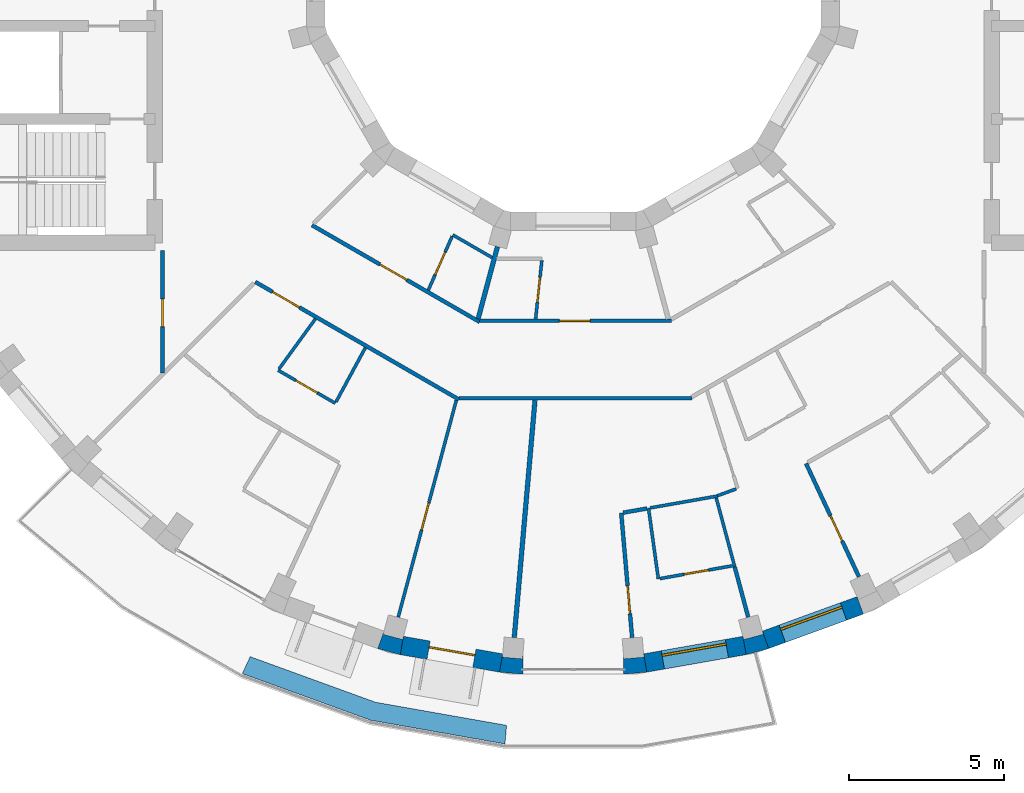
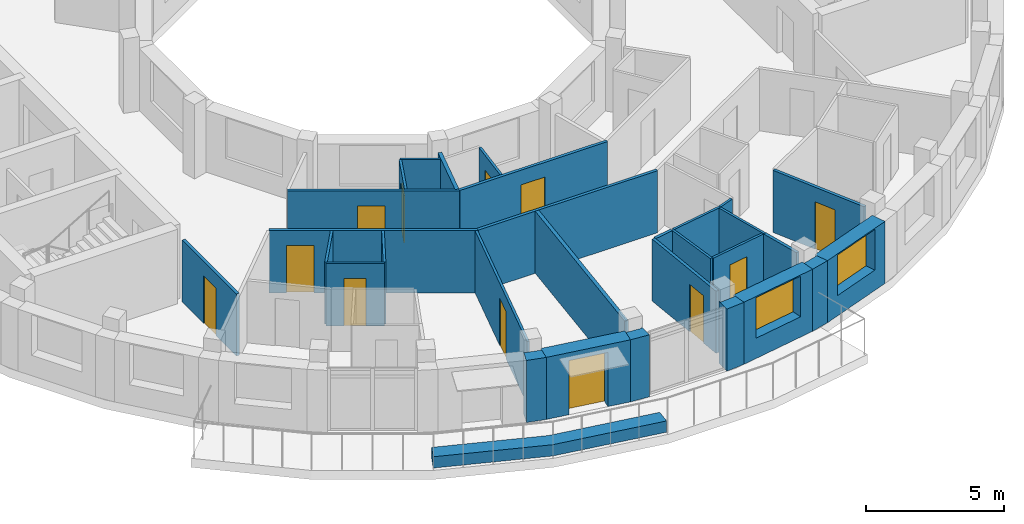
# One storey, part 4 of 12: 31 walls, 12 doors, 2 windows, 14 openings.
"""IFC4 building model written with IfcOpenShell, lengths in metres."""

from ifc_helpers import new_model, si_unit, direction, frame, frame_2d, origin, place, context, subcontext, project, spatial, polyline, rectangle, outline, extrude, material, layer, layer_set, type_object, element, fill, save


model = new_model("IFC4")

# Units and contexts
model_context = context("Model", 3, precision=1e-05, world=origin(), true_north=direction((0.0, 1.0)))
body_context = subcontext(model_context, "Body", "Model", "MODEL_VIEW")
ifc_project = project(units=[si_unit("LENGTHUNIT", "METRE"), si_unit("AREAUNIT", "SQUARE_METRE"), si_unit("VOLUMEUNIT", "CUBIC_METRE"), si_unit("PLANEANGLEUNIT", "RADIAN"), si_unit("MASSUNIT", "GRAM", prefix="KILO")], contexts=[model_context])

# Site, building, storey
site_placement = place(None, origin())
site = spatial("IfcSite", under=ifc_project, at=site_placement, CompositionType="ELEMENT")
building_placement = place(site_placement, origin())
building = spatial("IfcBuilding", under=site, at=building_placement, Name="Saqina Gate Tower", CompositionType="ELEMENT")
storey_placement = place(building_placement, frame((0.0, 0.0, 275.89990234375)))
storey = spatial("IfcBuildingStorey", under=building, at=storey_placement, Name="L79", CompositionType="ELEMENT", Elevation=275.89990234375)

# Walls
ifc_material_1 = material(Name="Brick masonry (buff)", Category="masonry")
wall_type_1 = type_object("IfcWallType", Name="BRICK PIER COPING BUFF", PredefinedType="SOLIDWALL", material=ifc_material_1)
wall_1_placement = place(storey_placement, origin())
element("IfcWall", 1, at=wall_1_placement, inside=storey, type_object=wall_type_1, Name="Pier cap L79 column 26", PredefinedType="SOLIDWALL", context=body_context, shape_type="SweptSolid", body=[
    extrude(outline(polyline([(-5.579833984375, -22.281982421875), (-5.4755859375, -21.691162109375), (-5.5029296875, -21.793212890625), (-6.130859375, -21.625), (-6.103515625, -21.52294921875), (-6.30859375, -22.0869140625), (-5.579833984375, -22.281982421875)])), origin(), (0.0, 0.0, 1.0), 2.75),
])
wall_2_placement = place(storey_placement, origin())
element("IfcWall", 2, at=wall_2_placement, inside=storey, type_object=wall_type_1, Name="Pier cap L79 column 27", PredefinedType="SOLIDWALL", context=body_context, shape_type="SweptSolid", body=[
    extrude(outline(polyline([(-2.377685546875, -22.8466796875), (-1.625732421875, -22.91259765625), (-1.625732421875, -22.3125), (-1.635009765625, -22.417724609375), (-2.28271484375, -22.361083984375), (-2.2734375, -22.255859375), (-2.377685546875, -22.8466796875)])), origin(), (0.0, 0.0, 1.0), 2.75),
])
wall_3_placement = place(storey_placement, origin())
element("IfcWall", 3, at=wall_3_placement, inside=storey, type_object=wall_type_1, Name="Pier cap L79 column 28", PredefinedType="SOLIDWALL", context=body_context, shape_type="SweptSolid", body=[
    extrude(outline(polyline([(1.625732421875, -22.91259765625), (2.377685546875, -22.8466796875), (2.2734375, -22.255859375), (2.28271484375, -22.361083984375), (1.635009765625, -22.417724609375), (1.625732421875, -22.3125), (1.625732421875, -22.91259765625)])), origin(), (0.0, 0.0, 1.0), 2.75),
])
wall_4_placement = place(storey_placement, origin())
element("IfcWall", 4, at=wall_4_placement, inside=storey, type_object=wall_type_1, Name="Pier cap L79 column 29", PredefinedType="SOLIDWALL", context=body_context, shape_type="SweptSolid", body=[
    extrude(outline(polyline([(6.30859375, -22.0869140625), (6.103515625, -21.52294921875), (6.130859375, -21.625), (5.5029296875, -21.793212890625), (5.4755859375, -21.691162109375), (5.579833984375, -22.281982421875), (6.30859375, -22.0869140625)])), origin(), (0.0, 0.0, 1.0), 2.75),
])

# Wall, opening, door
ifc_material_2 = material(Name="Brick masonry (buff)", Category="masonry")
ifc_layer_1 = layer(ifc_material_2, 0.60009765625)
ifc_layer_set_1 = layer_set([ifc_layer_1], Name="FW-BRICK-BUFF")
wall_type_2 = type_object("IfcWallType", Name="FW-BRICK-BUFF", PredefinedType="SOLIDWALL", material=ifc_layer_set_1)
wall_5_placement = place(storey_placement, frame((-5.52783203125, -21.986572265625, 0.0), z_axis=(0.0, 0.0, 1.0), x_axis=(0.984806225186, -0.173656842178, 0.0)))
wall_5 = element("IfcWall", 5, at=wall_5_placement, inside=storey, type_object=wall_type_2, Name="Facade wall L79 facet 26", PredefinedType="SOLIDWALL", context=body_context, shape_type="SweptSolid", body=[
    extrude(rectangle(XDim=3.251708984375, YDim=0.60009765625, at=frame_2d((1.6259765625, 0.0))), origin(), (0.0, 0.0, 1.0), 2.75),
])
opening_1_placement = place(wall_5_placement, frame((0.875732421875, 0.0, 0.0)))
opening_1 = element("IfcOpeningElement", 6, at=opening_1_placement, cuts=wall_5, Name="Opening G23-D81", PredefinedType="OPENING", context=body_context, shape_type="SweptSolid", body=[
    extrude(rectangle(XDim=1.5, YDim=2.39990234375, at=frame_2d((0.75, 1.199951171875))), frame((0.0, 0.31201171875, 0.0), z_axis=(0.0, -1.0, 0.0), x_axis=(1.0, 0.0, 0.0)), (0.0, 0.0, 1.0), 0.6240234375),
])
ifc_material_3 = material(Name="Aluminium glazing", Category="aluminium")
door_type_1 = type_object("IfcDoorType", Name="GD-D", OperationType="DOUBLE_DOOR_SINGLE_SWING", PredefinedType="DOOR", material=ifc_material_3)
door_1_placement = place(opening_1_placement, frame((1.5, 0.0, 0.0), z_axis=(0.0, 0.0, 1.0), x_axis=(-1.0, 0.0, 0.0)))
door_1 = element("IfcDoor", 7, at=door_1_placement, inside=storey, type_object=door_type_1, Name="Terrace door L79 facet 26", OperationType="DOUBLE_DOOR_SINGLE_SWING", OverallHeight=2.39990234375, OverallWidth=1.5, PredefinedType="DOOR", context=body_context, shape_type="SweptSolid", body=[
    extrude(rectangle(XDim=1.5, YDim=2.39990234375, at=frame_2d((0.75, 1.199951171875))), frame((0.0, -0.0751953125, 0.0), z_axis=(0.0, -1.0, 0.0), x_axis=(1.0, 0.0, 0.0)), (0.0, 0.0, 1.0), 0.050048828125),
])
fill(opening_1, door_1)

# Wall, opening, window
wall_6_placement = place(storey_placement, frame((2.325439453125, -22.55126953125, 0.0), z_axis=(0.0, 0.0, 1.0), x_axis=(0.984806225186, 0.173656842178, 0.0)))
wall_6 = element("IfcWall", 8, at=wall_6_placement, inside=storey, type_object=wall_type_2, Name="Facade wall L79 facet 28", PredefinedType="SOLIDWALL", context=body_context, shape_type="SweptSolid", body=[
    extrude(rectangle(XDim=3.251708984375, YDim=0.60009765625, at=frame_2d((1.6259765625, 0.0))), origin(), (0.0, 0.0, 1.0), 2.75),
])
opening_2_placement = place(wall_6_placement, frame((0.57568359375, 0.0, 0.89990234375)))
opening_2 = element("IfcOpeningElement", 9, at=opening_2_placement, cuts=wall_6, Name="Opening G23-W17", PredefinedType="OPENING", context=body_context, shape_type="SweptSolid", body=[
    extrude(rectangle(XDim=2.10009765625, YDim=1.800048828125, at=frame_2d((1.050048828125, 0.89990234375))), frame((0.0, 0.31201171875, 0.0), z_axis=(0.0, -1.0, 0.0), x_axis=(1.0, 0.0, 0.0)), (0.0, 0.0, 1.0), 0.6240234375),
])
ifc_material_4 = material(Name="Aluminium glazing", Category="aluminium")
window_type = type_object("IfcWindowType", Name="WN-D", PartitioningType="SINGLE_PANEL", PredefinedType="WINDOW", material=ifc_material_4)
window_1_placement = place(opening_2_placement, origin())
window_1 = element("IfcWindow", 10, at=window_1_placement, inside=storey, type_object=window_type, Name="Window L79 facet 28", OverallHeight=1.800048828125, OverallWidth=2.10009765625, PartitioningType="SINGLE_PANEL", PredefinedType="WINDOW", context=body_context, shape_type="SweptSolid", body=[
    extrude(rectangle(XDim=2.10009765625, YDim=1.800048828125, at=frame_2d((1.050048828125, 0.89990234375))), frame((0.0, 0.179931640625, 0.0), z_axis=(0.0, -1.0, 0.0), x_axis=(1.0, 0.0, 0.0)), (0.0, 0.0, 1.0), 0.06005859375),
])
fill(opening_2, window_1)

wall_7_placement = place(storey_placement, frame((6.2060546875, -21.804931640625, 0.0), z_axis=(0.0, 0.0, 1.0), x_axis=(0.939679383794, 0.342056509473, 0.0)))
wall_7 = element("IfcWall", 11, at=wall_7_placement, inside=storey, type_object=wall_type_2, Name="Facade wall L79 facet 29", PredefinedType="SOLIDWALL", context=body_context, shape_type="SweptSolid", body=[
    extrude(rectangle(XDim=3.251708984375, YDim=0.60009765625, at=frame_2d((1.6259765625, 0.0))), origin(), (0.0, 0.0, 1.0), 2.75),
])
opening_3_placement = place(wall_7_placement, frame((0.57568359375, 0.0, 0.89990234375)))
opening_3 = element("IfcOpeningElement", 12, at=opening_3_placement, cuts=wall_7, Name="Opening G23-W18", PredefinedType="OPENING", context=body_context, shape_type="SweptSolid", body=[
    extrude(rectangle(XDim=2.10009765625, YDim=1.800048828125, at=frame_2d((1.050048828125, 0.89990234375))), frame((0.0, 0.31201171875, 0.0), z_axis=(0.0, -1.0, 0.0), x_axis=(1.0, 0.0, 0.0)), (0.0, 0.0, 1.0), 0.6240234375),
])
window_2_placement = place(opening_3_placement, origin())
window_2 = element("IfcWindow", 13, at=window_2_placement, inside=storey, type_object=window_type, Name="Window L79 facet 29", OverallHeight=1.800048828125, OverallWidth=2.10009765625, PartitioningType="SINGLE_PANEL", PredefinedType="WINDOW", context=body_context, shape_type="SweptSolid", body=[
    extrude(rectangle(XDim=2.10009765625, YDim=1.800048828125, at=frame_2d((1.050048828125, 0.89990234375))), frame((0.0, 0.179931640625, 0.0), z_axis=(0.0, -1.0, 0.0), x_axis=(1.0, 0.0, 0.0)), (0.0, 0.0, 1.0), 0.06005859375),
])
fill(opening_3, window_2)

# Walls
ifc_material_5 = material(Name="Gypsum board on steel studs, 100 mm", Category="steel")
ifc_layer_2 = layer(ifc_material_5, 0.10009765625)
ifc_layer_set_2 = layer_set([ifc_layer_2], Name="PARTITION 100")
wall_type_3 = type_object("IfcWallType", Name="PARTITION 100", PredefinedType="PARTITIONING", material=ifc_layer_set_2)
wall_8_placement = place(storey_placement, frame((2.430908203125, -17.556884765625, 0.0), z_axis=(0.0, 0.0, 1.0), x_axis=(0.137351585164, -0.990522358179, 0.0)))
element("IfcWall", 14, at=wall_8_placement, inside=storey, type_object=wall_type_3, Name="PARTITION PW3-03", PredefinedType="PARTITIONING", context=body_context, shape_type="SweptSolid", body=[
    extrude(rectangle(XDim=2.3017578125, YDim=0.10009765625, at=frame_2d((1.15087890625, 0.0))), origin(), (0.0, 0.0, 1.0), 2.75),
])
wall_9_placement = place(storey_placement, frame((4.614501953125, -17.222412109375, 0.0), z_axis=(0.0, 0.0, 1.0), x_axis=(0.259222412409, -0.965817654066, 0.0)))
element("IfcWall", 15, at=wall_9_placement, inside=storey, type_object=wall_type_3, Name="PARTITION PW3-06", PredefinedType="PARTITIONING", context=body_context, shape_type="SweptSolid", body=[
    extrude(rectangle(XDim=2.308349609375, YDim=0.10009765625, at=frame_2d((1.154296875, 0.0))), origin(), (0.0, 0.0, 1.0), 2.75),
])

# Wall, opening, door
wall_10_placement = place(storey_placement, frame((-9.52099609375, -13.10498046875, 0.0), z_axis=(0.0, 0.0, 1.0), x_axis=(0.865878308353, -0.500254690257, 0.0)))
wall_10 = element("IfcWall", 16, at=wall_10_placement, inside=storey, type_object=wall_type_3, Name="PARTITION PW3-20", PredefinedType="PARTITIONING", context=body_context, shape_type="SweptSolid", body=[
    extrude(rectangle(XDim=2.130859375, YDim=0.10009765625, at=frame_2d((1.0654296875, 0.0))), origin(), (0.0, 0.0, 1.0), 2.75),
])
opening_4_placement = place(wall_10_placement, frame((0.665283203125, 0.0, 0.0)))
opening_4 = element("IfcOpeningElement", 17, at=opening_4_placement, cuts=wall_10, Name="Opening G23-D24", PredefinedType="OPENING", context=body_context, shape_type="SweptSolid", body=[
    extrude(rectangle(XDim=0.800048828125, YDim=2.10009765625, at=frame_2d((0.39990234375, 1.050048828125))), frame((0.0, 0.06201171875, 0.0), z_axis=(0.0, -1.0, 0.0), x_axis=(1.0, 0.0, 0.0)), (0.0, 0.0, 1.0), 0.1240234375),
])
ifc_material_6 = material(Name="Timber door leaf, 800 mm", Category="wood")
door_type_2 = type_object("IfcDoorType", Name="DOOR 800 TIMBER", OperationType="SINGLE_SWING_LEFT", PredefinedType="DOOR", material=ifc_material_6)
door_2_placement = place(opening_4_placement, frame((0.800048828125, 0.0, 0.0), z_axis=(0.0, 0.0, 1.0), x_axis=(-1.0, 0.0, 0.0)))
door_2 = element("IfcDoor", 18, at=door_2_placement, inside=storey, type_object=door_type_2, Name="DOOR G23-D24", OperationType="SINGLE_SWING_RIGHT", OverallHeight=2.10009765625, OverallWidth=0.800048828125, PredefinedType="DOOR", context=body_context, shape_type="SweptSolid", body=[
    extrude(rectangle(XDim=0.800048828125, YDim=2.10009765625, at=frame_2d((0.39990234375, 1.050048828125))), frame((0.0, 0.02490234375, 0.0), z_axis=(0.0, -1.0, 0.0), x_axis=(1.0, 0.0, 0.0)), (0.0, 0.0, 1.0), 0.050048828125),
])
fill(opening_4, door_2)

# Wall
wall_11_placement = place(storey_placement, frame((-3.884033203125, -8.739013671875, 0.0), z_axis=(0.0, 0.0, 1.0), x_axis=(0.866146805758, -0.499789666634, 0.0)))
element("IfcWall", 19, at=wall_11_placement, inside=storey, type_object=wall_type_3, Name="PARTITION PW3-21", PredefinedType="PARTITIONING", context=body_context, shape_type="SweptSolid", body=[
    extrude(rectangle(XDim=1.467529296875, YDim=0.10009765625, at=frame_2d((0.73388671875, 0.0))), origin(), (0.0, 0.0, 1.0), 2.75),
])

# Wall, opening, door
wall_12_placement = place(storey_placement, frame((2.796142578125, -19.828369140625, 0.0), z_axis=(0.0, 0.0, 1.0), x_axis=(0.984754600233, 0.173949352742, 0.0)))
wall_12 = element("IfcWall", 20, at=wall_12_placement, inside=storey, type_object=wall_type_3, Name="PARTITION PW3-29", PredefinedType="PARTITIONING", context=body_context, shape_type="SweptSolid", body=[
    extrude(rectangle(XDim=2.37744140625, YDim=0.10009765625, at=frame_2d((1.188720703125, 0.0))), origin(), (0.0, 0.0, 1.0), 2.75),
])
opening_5_placement = place(wall_12_placement, frame((0.794921875, 0.0, 0.0)))
opening_5 = element("IfcOpeningElement", 21, at=opening_5_placement, cuts=wall_12, Name="Opening G23-D32", PredefinedType="OPENING", context=body_context, shape_type="SweptSolid", body=[
    extrude(rectangle(XDim=0.800048828125, YDim=2.10009765625, at=frame_2d((0.39990234375, 1.050048828125))), frame((0.0, 0.06201171875, 0.0), z_axis=(0.0, -1.0, 0.0), x_axis=(1.0, 0.0, 0.0)), (0.0, 0.0, 1.0), 0.1240234375),
])
door_3_placement = place(opening_5_placement, frame((0.800048828125, 0.0, 0.0), z_axis=(0.0, 0.0, 1.0), x_axis=(-1.0, 0.0, 0.0)))
door_3 = element("IfcDoor", 22, at=door_3_placement, inside=storey, type_object=door_type_2, Name="DOOR G23-D32", OperationType="SINGLE_SWING_LEFT", OverallHeight=2.10009765625, OverallWidth=0.800048828125, PredefinedType="DOOR", context=body_context, shape_type="SweptSolid", body=[
    extrude(rectangle(XDim=0.800048828125, YDim=2.10009765625, at=frame_2d((0.39990234375, 1.050048828125))), frame((0.0, 0.02490234375, 0.0), z_axis=(0.0, -1.0, 0.0), x_axis=(1.0, 0.0, 0.0)), (0.0, 0.0, 1.0), 0.050048828125),
])
fill(opening_5, door_3)

# Walls
wall_13_placement = place(storey_placement, frame((2.480224609375, -17.54833984375, 0.0), z_axis=(0.0, 0.0, 1.0), x_axis=(0.984791356236, 0.173741142745, 0.0)))
element("IfcWall", 23, at=wall_13_placement, inside=storey, type_object=wall_type_3, Name="PARTITION PW3-30", PredefinedType="PARTITIONING", context=body_context, shape_type="SweptSolid", body=[
    extrude(rectangle(XDim=2.2060546875, YDim=0.10009765625, at=frame_2d((1.10302734375, 0.0))), origin(), (0.0, 0.0, 1.0), 2.75),
])
wall_14_placement = place(storey_placement, frame((4.64990234375, -17.15625, 0.0), z_axis=(0.0, 0.0, 1.0), x_axis=(0.939771391362, 0.341803645353, 0.0)))
element("IfcWall", 24, at=wall_14_placement, inside=storey, type_object=wall_type_3, Name="PARTITION PW3-33", PredefinedType="PARTITIONING", context=body_context, shape_type="SweptSolid", body=[
    extrude(rectangle(XDim=0.647216796875, YDim=0.10009765625, at=frame_2d((0.32373046875, 0.0))), origin(), (0.0, 0.0, 1.0), 2.75),
])
wall_15_placement = place(storey_placement, frame((-9.49169921875, -13.064453125, 0.0), z_axis=(0.0, 0.0, 1.0), x_axis=(0.587873893167, 0.80895258559, 0.0)))
element("IfcWall", 25, at=wall_15_placement, inside=storey, type_object=wall_type_3, Name="PARTITION PW3-42", PredefinedType="PARTITIONING", context=body_context, shape_type="SweptSolid", body=[
    extrude(rectangle(XDim=1.998779296875, YDim=0.10009765625, at=frame_2d((0.99951171875, 0.0))), origin(), (0.0, 0.0, 1.0), 2.75),
])
wall_16_placement = place(storey_placement, frame((-7.652099609375, -14.126953125, 0.0), z_axis=(0.0, 0.0, 1.0), x_axis=(0.476243596433, 0.879313389444, 0.0)))
element("IfcWall", 26, at=wall_16_placement, inside=storey, type_object=wall_type_3, Name="PARTITION PW3-45", PredefinedType="PARTITIONING", context=body_context, shape_type="SweptSolid", body=[
    extrude(rectangle(XDim=1.988525390625, YDim=0.10009765625, at=frame_2d((0.994140625, 0.0))), origin(), (0.0, 0.0, 1.0), 2.75),
])

# Wall, opening, door
wall_17_placement = place(storey_placement, frame((-4.674560546875, -10.519775390625, 0.0), z_axis=(0.0, 0.0, 1.0), x_axis=(0.40574466239, 0.913986470875, 0.0)))
wall_17 = element("IfcWall", 27, at=wall_17_placement, inside=storey, type_object=wall_type_3, Name="PARTITION PW3-47", PredefinedType="PARTITIONING", context=body_context, shape_type="SweptSolid", body=[
    extrude(rectangle(XDim=1.8984375, YDim=0.10009765625, at=frame_2d((0.94921875, 0.0))), origin(), (0.0, 0.0, 1.0), 2.75),
])
opening_6_placement = place(wall_17_placement, frame((0.54296875, 0.0, 0.0)))
opening_6 = element("IfcOpeningElement", 28, at=opening_6_placement, cuts=wall_17, Name="Opening G23-D27", PredefinedType="OPENING", context=body_context, shape_type="SweptSolid", body=[
    extrude(rectangle(XDim=0.800048828125, YDim=2.10009765625, at=frame_2d((0.39990234375, 1.050048828125))), frame((0.0, 0.06201171875, 0.0), z_axis=(0.0, -1.0, 0.0), x_axis=(1.0, 0.0, 0.0)), (0.0, 0.0, 1.0), 0.1240234375),
])
door_4_placement = place(opening_6_placement, origin())
door_4 = element("IfcDoor", 29, at=door_4_placement, inside=storey, type_object=door_type_2, Name="DOOR G23-D27", OperationType="SINGLE_SWING_LEFT", OverallHeight=2.10009765625, OverallWidth=0.800048828125, PredefinedType="DOOR", context=body_context, shape_type="SweptSolid", body=[
    extrude(rectangle(XDim=0.800048828125, YDim=2.10009765625, at=frame_2d((0.39990234375, 1.050048828125))), frame((0.0, 0.02490234375, 0.0), z_axis=(0.0, -1.0, 0.0), x_axis=(1.0, 0.0, 0.0)), (0.0, 0.0, 1.0), 0.050048828125),
])
fill(opening_6, door_4)

wall_18_placement = place(storey_placement, frame((-5.644287109375, -21.072265625, 0.0), z_axis=(0.0, 0.0, 1.0), x_axis=(0.258605886827, 0.96598291667, 0.0)))
wall_18 = element("IfcWall", 30, at=wall_18_placement, inside=storey, type_object=wall_type_3, Name="PARTITION PW3-48", PredefinedType="PARTITIONING", context=body_context, shape_type="SweptSolid", body=[
    extrude(rectangle(XDim=7.24853515625, YDim=0.10009765625, at=frame_2d((3.624267578125, 0.0))), origin(), (0.0, 0.0, 1.0), 2.75),
])
opening_7_placement = place(wall_18_placement, frame((2.913818359375, 0.0, 0.0)))
opening_7 = element("IfcOpeningElement", 31, at=opening_7_placement, cuts=wall_18, Name="Opening G23-D28", PredefinedType="OPENING", context=body_context, shape_type="SweptSolid", body=[
    extrude(rectangle(XDim=0.89990234375, YDim=2.10009765625, at=frame_2d((0.449951171875, 1.050048828125))), frame((0.0, 0.06201171875, 0.0), z_axis=(0.0, -1.0, 0.0), x_axis=(1.0, 0.0, 0.0)), (0.0, 0.0, 1.0), 0.1240234375),
])
ifc_material_7 = material(Name="Timber door leaf, 900 mm", Category="wood")
door_type_3 = type_object("IfcDoorType", Name="DOOR 900 TIMBER", OperationType="SINGLE_SWING_LEFT", PredefinedType="DOOR", material=ifc_material_7)
door_5_placement = place(opening_7_placement, origin())
door_5 = element("IfcDoor", 32, at=door_5_placement, inside=storey, type_object=door_type_3, Name="DOOR G23-D28", OperationType="SINGLE_SWING_LEFT", OverallHeight=2.10009765625, OverallWidth=0.89990234375, PredefinedType="DOOR", context=body_context, shape_type="SweptSolid", body=[
    extrude(rectangle(XDim=0.89990234375, YDim=2.10009765625, at=frame_2d((0.449951171875, 1.050048828125))), frame((0.0, 0.02490234375, 0.0), z_axis=(0.0, -1.0, 0.0), x_axis=(1.0, 0.0, 0.0)), (0.0, 0.0, 1.0), 0.050048828125),
])
fill(opening_7, door_5)

wall_19_placement = place(storey_placement, frame((-1.21142578125, -11.44775390625, 0.0), z_axis=(0.0, 0.0, 1.0), x_axis=(0.105447867905, 0.99442483233, 0.0)))
wall_19 = element("IfcWall", 33, at=wall_19_placement, inside=storey, type_object=wall_type_3, Name="PARTITION PW3-51", PredefinedType="PARTITIONING", context=body_context, shape_type="SweptSolid", body=[
    extrude(rectangle(XDim=1.8984375, YDim=0.10009765625, at=frame_2d((0.94921875, 0.0))), origin(), (0.0, 0.0, 1.0), 2.75),
])
opening_8_placement = place(wall_19_placement, frame((0.543212890625, 0.0, 0.0)))
opening_8 = element("IfcOpeningElement", 34, at=opening_8_placement, cuts=wall_19, Name="Opening G23-D29", PredefinedType="OPENING", context=body_context, shape_type="SweptSolid", body=[
    extrude(rectangle(XDim=0.800048828125, YDim=2.10009765625, at=frame_2d((0.39990234375, 1.050048828125))), frame((0.0, 0.06201171875, 0.0), z_axis=(0.0, -1.0, 0.0), x_axis=(1.0, 0.0, 0.0)), (0.0, 0.0, 1.0), 0.1240234375),
])
door_6_placement = place(opening_8_placement, frame((0.800048828125, 0.0, 0.0), z_axis=(0.0, 0.0, 1.0), x_axis=(-1.0, 0.0, 0.0)))
door_6 = element("IfcDoor", 35, at=door_6_placement, inside=storey, type_object=door_type_2, Name="DOOR G23-D29", OperationType="SINGLE_SWING_RIGHT", OverallHeight=2.10009765625, OverallWidth=0.800048828125, PredefinedType="DOOR", context=body_context, shape_type="SweptSolid", body=[
    extrude(rectangle(XDim=0.800048828125, YDim=2.10009765625, at=frame_2d((0.39990234375, 1.050048828125))), frame((0.0, 0.02490234375, 0.0), z_axis=(0.0, -1.0, 0.0), x_axis=(1.0, 0.0, 0.0)), (0.0, 0.0, 1.0), 0.050048828125),
])
fill(opening_8, door_6)

ifc_material_8 = material(Name="Gypsum board on steel studs, 125 mm, fire rated", Category="steel")
ifc_layer_3 = layer(ifc_material_8, 0.125)
ifc_layer_set_3 = layer_set([ifc_layer_3], Name="PARTITION EI 30 125")
wall_type_4 = type_object("IfcWallType", Name="PARTITION EI 30 125", PredefinedType="PARTITIONING", material=ifc_layer_set_3)
wall_20_placement = place(storey_placement, frame((1.5498046875, -17.713134765625, 0.0), z_axis=(0.0, 0.0, 1.0), x_axis=(0.087206738893, -0.996190235192, 0.0)))
wall_20 = element("IfcWall", 36, at=wall_20_placement, inside=storey, type_object=wall_type_4, Name="PARTITION PW1-02", PredefinedType="PARTITIONING", context=body_context, shape_type="SweptSolid", body=[
    extrude(rectangle(XDim=4.0341796875, YDim=0.125, at=frame_2d((2.01708984375, 0.0))), origin(), (0.0, 0.0, 1.0), 2.75),
])
opening_9_placement = place(wall_20_placement, frame((2.35888671875, 0.0, 0.0)))
opening_9 = element("IfcOpeningElement", 37, at=opening_9_placement, cuts=wall_20, Name="Opening G23-D31", PredefinedType="OPENING", context=body_context, shape_type="SweptSolid", body=[
    extrude(rectangle(XDim=0.89990234375, YDim=2.10009765625, at=frame_2d((0.449951171875, 1.050048828125))), frame((0.0, 0.074462890625, 0.0), z_axis=(0.0, -1.0, 0.0), x_axis=(1.0, 0.0, 0.0)), (0.0, 0.0, 1.0), 0.14892578125),
])
ifc_material_9 = material(Name="Fire door leaf EI 30, 900 mm")
door_type_4 = type_object("IfcDoorType", Name="DOOR 900 EI 30", OperationType="SINGLE_SWING_LEFT", PredefinedType="DOOR", material=ifc_material_9)
door_7_placement = place(opening_9_placement, frame((0.89990234375, 0.0, 0.0), z_axis=(0.0, 0.0, 1.0), x_axis=(-1.0, 0.0, 0.0)))
door_7 = element("IfcDoor", 38, at=door_7_placement, inside=storey, type_object=door_type_4, Name="DOOR G23-D31", OperationType="SINGLE_SWING_LEFT", OverallHeight=2.10009765625, OverallWidth=0.89990234375, PredefinedType="DOOR", context=body_context, shape_type="SweptSolid", body=[
    extrude(rectangle(XDim=0.89990234375, YDim=2.10009765625, at=frame_2d((0.449951171875, 1.050048828125))), frame((0.0, 0.02490234375, 0.0), z_axis=(0.0, -1.0, 0.0), x_axis=(1.0, 0.0, 0.0)), (0.0, 0.0, 1.0), 0.050048828125),
])
fill(opening_9, door_7)

# Wall
wall_21_placement = place(storey_placement, frame((5.2119140625, -19.452392578125, 0.0), z_axis=(0.0, 0.0, 1.0), x_axis=(0.259221341364, -0.96581794153, 0.0)))
element("IfcWall", 39, at=wall_21_placement, inside=storey, type_object=wall_type_4, Name="PARTITION PW1-03", PredefinedType="PARTITIONING", context=body_context, shape_type="SweptSolid", body=[
    extrude(rectangle(XDim=1.676513671875, YDim=0.125, at=frame_2d((0.83837890625, 0.0))), origin(), (0.0, 0.0, 1.0), 2.75),
])

# Wall, opening, door
wall_22_placement = place(storey_placement, frame((7.513916015625, -16.115966796875, 0.0), z_axis=(0.0, 0.0, 1.0), x_axis=(0.422961674659, -0.90614757174, 0.0)))
wall_22 = element("IfcWall", 40, at=wall_22_placement, inside=storey, type_object=wall_type_4, Name="PARTITION PW1-05", PredefinedType="PARTITIONING", context=body_context, shape_type="SweptSolid", body=[
    extrude(rectangle(XDim=4.03369140625, YDim=0.125, at=frame_2d((2.016845703125, 0.0))), origin(), (0.0, 0.0, 1.0), 2.75),
])
opening_10_placement = place(wall_22_placement, frame((1.857177734375, 0.0, 0.0)))
opening_10 = element("IfcOpeningElement", 41, at=opening_10_placement, cuts=wall_22, Name="Opening G23-D35", PredefinedType="OPENING", context=body_context, shape_type="SweptSolid", body=[
    extrude(rectangle(XDim=0.89990234375, YDim=2.10009765625, at=frame_2d((0.449951171875, 1.050048828125))), frame((0.0, 0.074462890625, 0.0), z_axis=(0.0, -1.0, 0.0), x_axis=(1.0, 0.0, 0.0)), (0.0, 0.0, 1.0), 0.14892578125),
])
door_8_placement = place(opening_10_placement, frame((0.89990234375, 0.0, 0.0), z_axis=(0.0, 0.0, 1.0), x_axis=(-1.0, 0.0, 0.0)))
door_8 = element("IfcDoor", 42, at=door_8_placement, inside=storey, type_object=door_type_4, Name="DOOR G23-D35", OperationType="SINGLE_SWING_LEFT", OverallHeight=2.10009765625, OverallWidth=0.89990234375, PredefinedType="DOOR", context=body_context, shape_type="SweptSolid", body=[
    extrude(rectangle(XDim=0.89990234375, YDim=2.10009765625, at=frame_2d((0.449951171875, 1.050048828125))), frame((0.0, 0.02490234375, 0.0), z_axis=(0.0, -1.0, 0.0), x_axis=(1.0, 0.0, 0.0)), (0.0, 0.0, 1.0), 0.050048828125),
])
fill(opening_10, door_8)

wall_23_placement = place(storey_placement, frame((-10.256103515625, -10.256103515625, 0.0), z_axis=(0.0, 0.0, 1.0), x_axis=(0.866032740159, -0.499987292811, 0.0)))
wall_23 = element("IfcWall", 43, at=wall_23_placement, inside=storey, type_object=wall_type_4, Name="PARTITION PW1-13", PredefinedType="PARTITIONING", context=body_context, shape_type="SweptSolid", body=[
    extrude(rectangle(XDim=7.580810546875, YDim=0.125, at=frame_2d((3.79052734375, 0.0))), origin(), (0.0, 0.0, 1.0), 2.75),
])
opening_11_placement = place(wall_23_placement, frame((0.640869140625, 0.0, 0.0)))
opening_11 = element("IfcOpeningElement", 44, at=opening_11_placement, cuts=wall_23, Name="Opening G23-D22", PredefinedType="OPENING", context=body_context, shape_type="SweptSolid", body=[
    extrude(rectangle(XDim=1.0, YDim=2.10009765625, at=frame_2d((0.5, 1.050048828125))), frame((0.0, 0.074462890625, 0.0), z_axis=(0.0, -1.0, 0.0), x_axis=(1.0, 0.0, 0.0)), (0.0, 0.0, 1.0), 0.14892578125),
])
ifc_material_10 = material(Name="Fire door leaf EI 30, 1000 mm")
door_type_5 = type_object("IfcDoorType", Name="DOOR 1000 EI 30", OperationType="SINGLE_SWING_LEFT", PredefinedType="DOOR", material=ifc_material_10)
door_9_placement = place(opening_11_placement, frame((1.0, 0.0, 0.0), z_axis=(0.0, 0.0, 1.0), x_axis=(-1.0, 0.0, 0.0)))
door_9 = element("IfcDoor", 45, at=door_9_placement, inside=storey, type_object=door_type_5, Name="DOOR G23-D22", OperationType="SINGLE_SWING_LEFT", OverallHeight=2.10009765625, OverallWidth=1.0, PredefinedType="DOOR", context=body_context, shape_type="SweptSolid", body=[
    extrude(rectangle(XDim=1.0, YDim=2.10009765625, at=frame_2d((0.5, 1.050048828125))), frame((0.0, 0.02490234375, 0.0), z_axis=(0.0, -1.0, 0.0), x_axis=(1.0, 0.0, 0.0)), (0.0, 0.0, 1.0), 0.050048828125),
])
fill(opening_11, door_9)

wall_24_placement = place(storey_placement, frame((-8.426025390625, -8.426025390625, 0.0), z_axis=(0.0, 0.0, 1.0), x_axis=(0.866039004929, -0.499976441387, 0.0)))
wall_24 = element("IfcWall", 46, at=wall_24_placement, inside=storey, type_object=wall_type_4, Name="PARTITION PW1-14", PredefinedType="PARTITIONING", context=body_context, shape_type="SweptSolid", body=[
    extrude(rectangle(XDim=6.240478515625, YDim=0.125, at=frame_2d((3.1201171875, 0.0))), origin(), (0.0, 0.0, 1.0), 2.75),
])
opening_12_placement = place(wall_24_placement, frame((2.53369140625, 0.0, 0.0)))
opening_12 = element("IfcOpeningElement", 47, at=opening_12_placement, cuts=wall_24, Name="Opening G23-D25", PredefinedType="OPENING", context=body_context, shape_type="SweptSolid", body=[
    extrude(rectangle(XDim=1.0, YDim=2.10009765625, at=frame_2d((0.5, 1.050048828125))), frame((0.0, 0.074462890625, 0.0), z_axis=(0.0, -1.0, 0.0), x_axis=(1.0, 0.0, 0.0)), (0.0, 0.0, 1.0), 0.14892578125),
])
door_10_placement = place(opening_12_placement, origin())
door_10 = element("IfcDoor", 48, at=door_10_placement, inside=storey, type_object=door_type_5, Name="DOOR G23-D25", OperationType="SINGLE_SWING_LEFT", OverallHeight=2.10009765625, OverallWidth=1.0, PredefinedType="DOOR", context=body_context, shape_type="SweptSolid", body=[
    extrude(rectangle(XDim=1.0, YDim=2.10009765625, at=frame_2d((0.5, 1.050048828125))), frame((0.0, 0.02490234375, 0.0), z_axis=(0.0, -1.0, 0.0), x_axis=(1.0, 0.0, 0.0)), (0.0, 0.0, 1.0), 0.050048828125),
])
fill(opening_12, door_10)

# Wall
wall_25_placement = place(storey_placement, frame((-3.69091796875, -14.010009765625, 0.0), z_axis=(0.0, 0.0, 1.0), x_axis=(1.0, 0.0, 0.0)))
element("IfcWall", 49, at=wall_25_placement, inside=storey, type_object=wall_type_4, Name="PARTITION PW1-18", PredefinedType="PARTITIONING", context=body_context, shape_type="SweptSolid", body=[
    extrude(rectangle(XDim=7.51708984375, YDim=0.125, at=frame_2d((3.758544921875, 0.0))), origin(), (0.0, 0.0, 1.0), 2.75),
])

# Wall, opening, door
wall_26_placement = place(storey_placement, frame((-3.021484375, -11.510009765625, 0.0), z_axis=(0.0, 0.0, 1.0), x_axis=(1.0, 0.0, 0.0)))
wall_26 = element("IfcWall", 50, at=wall_26_placement, inside=storey, type_object=wall_type_4, Name="PARTITION PW1-19", PredefinedType="PARTITIONING", context=body_context, shape_type="SweptSolid", body=[
    extrude(rectangle(XDim=6.192138671875, YDim=0.125, at=frame_2d((3.09619140625, 0.0))), origin(), (0.0, 0.0, 1.0), 2.75),
])
opening_13_placement = place(wall_26_placement, frame((2.572021484375, 0.0, 0.0)))
opening_13 = element("IfcOpeningElement", 51, at=opening_13_placement, cuts=wall_26, Name="Opening G23-D30", PredefinedType="OPENING", context=body_context, shape_type="SweptSolid", body=[
    extrude(rectangle(XDim=1.0, YDim=2.10009765625, at=frame_2d((0.5, 1.050048828125))), frame((0.0, 0.074462890625, 0.0), z_axis=(0.0, -1.0, 0.0), x_axis=(1.0, 0.0, 0.0)), (0.0, 0.0, 1.0), 0.14892578125),
])
door_11_placement = place(opening_13_placement, origin())
door_11 = element("IfcDoor", 52, at=door_11_placement, inside=storey, type_object=door_type_5, Name="DOOR G23-D30", OperationType="SINGLE_SWING_LEFT", OverallHeight=2.10009765625, OverallWidth=1.0, PredefinedType="DOOR", context=body_context, shape_type="SweptSolid", body=[
    extrude(rectangle(XDim=1.0, YDim=2.10009765625, at=frame_2d((0.5, 1.050048828125))), frame((0.0, 0.02490234375, 0.0), z_axis=(0.0, -1.0, 0.0), x_axis=(1.0, 0.0, 0.0)), (0.0, 0.0, 1.0), 0.050048828125),
])
fill(opening_13, door_11)

# Wall
wall_27_placement = place(storey_placement, frame((1.611572265625, -17.701171875, 0.0), z_axis=(0.0, 0.0, 1.0), x_axis=(0.984877691651, 0.173251067786, 0.0)))
element("IfcWall", 53, at=wall_27_placement, inside=storey, type_object=wall_type_4, Name="PARTITION PW1-22", PredefinedType="PARTITIONING", context=body_context, shape_type="SweptSolid", body=[
    extrude(rectangle(XDim=0.781982421875, YDim=0.125, at=frame_2d((0.39111328125, 0.0))), origin(), (0.0, 0.0, 1.0), 2.75),
])

# Wall, opening, door
wall_28_placement = place(storey_placement, frame((-13.25, -13.1875, 0.0), z_axis=(0.0, 0.0, 1.0), x_axis=(0.0, 1.0, 0.0)))
wall_28 = element("IfcWall", 54, at=wall_28_placement, inside=storey, type_object=wall_type_4, Name="PARTITION PW1-41", PredefinedType="PARTITIONING", context=body_context, shape_type="SweptSolid", body=[
    extrude(rectangle(XDim=3.9375, YDim=0.125, at=frame_2d((1.96875, 0.0))), origin(), (0.0, 0.0, 1.0), 2.75),
])
opening_14_placement = place(wall_28_placement, frame((1.487548828125, 0.0, 0.0)))
opening_14 = element("IfcOpeningElement", 55, at=opening_14_placement, cuts=wall_28, Name="Opening G23-D21", PredefinedType="OPENING", context=body_context, shape_type="SweptSolid", body=[
    extrude(rectangle(XDim=0.89990234375, YDim=2.10009765625, at=frame_2d((0.449951171875, 1.050048828125))), frame((0.0, 0.074462890625, 0.0), z_axis=(0.0, -1.0, 0.0), x_axis=(1.0, 0.0, 0.0)), (0.0, 0.0, 1.0), 0.14892578125),
])
door_12_placement = place(opening_14_placement, origin())
door_12 = element("IfcDoor", 56, at=door_12_placement, inside=storey, type_object=door_type_4, Name="DOOR G23-D21", OperationType="SINGLE_SWING_LEFT", OverallHeight=2.10009765625, OverallWidth=0.89990234375, PredefinedType="DOOR", context=body_context, shape_type="SweptSolid", body=[
    extrude(rectangle(XDim=0.89990234375, YDim=2.10009765625, at=frame_2d((0.449951171875, 1.050048828125))), frame((0.0, 0.02490234375, 0.0), z_axis=(0.0, -1.0, 0.0), x_axis=(1.0, 0.0, 0.0)), (0.0, 0.0, 1.0), 0.050048828125),
])
fill(opening_14, door_12)

# Walls
ifc_material_11 = material(Name="Gypsum board on steel studs, 150 mm, fire rated", Category="steel")
ifc_layer_4 = layer(ifc_material_11, 0.14990234375)
ifc_layer_set_4 = layer_set([ifc_layer_4], Name="PARTITION EI 60 150")
wall_type_5 = type_object("IfcWallType", Name="PARTITION EI 60 150", PredefinedType="PARTITIONING", material=ifc_layer_set_4)
wall_29_placement = place(storey_placement, frame((-3.067626953125, -11.44970703125, 0.0), z_axis=(0.0, 0.0, 1.0), x_axis=(0.258796817064, 0.965931782, 0.0)))
element("IfcWall", 57, at=wall_29_placement, inside=storey, type_object=wall_type_5, Name="PARTITION PW2-05", PredefinedType="PARTITIONING", context=body_context, shape_type="SweptSolid", body=[
    extrude(rectangle(XDim=2.4111328125, YDim=0.14990234375, at=frame_2d((1.20556640625, 0.0))), origin(), (0.0, 0.0, 1.0), 2.75),
])
wall_30_placement = place(storey_placement, frame((-1.9013671875, -21.73193359375, 0.0), z_axis=(0.0, 0.0, 1.0), x_axis=(0.087062572149, 0.996202845073, 0.0)))
element("IfcWall", 58, at=wall_30_placement, inside=storey, type_object=wall_type_5, Name="PARTITION PW2-06", PredefinedType="PARTITIONING", context=body_context, shape_type="SweptSolid", body=[
    extrude(rectangle(XDim=7.689208984375, YDim=0.14990234375, at=frame_2d((3.8447265625, 0.0))), origin(), (0.0, 0.0, 1.0), 2.75),
])
ifc_material_12 = material(Name="Brick masonry (red)", Category="masonry")
ifc_layer_5 = layer(ifc_material_12, 0.60009765625)
ifc_layer_set_5 = layer_set([ifc_layer_5], Name="PL-PLANTER")
wall_type_6 = type_object("IfcWallType", Name="PL-PLANTER", PredefinedType="PARAPET", material=ifc_layer_set_5)
wall_31_placement = place(storey_placement, origin())
element("IfcWall", 59, at=wall_31_placement, inside=storey, type_object=wall_type_6, Name="Planter L79", PredefinedType="PARAPET", context=body_context, shape_type="SweptSolid", body=[
    extrude(outline(polyline([(-10.6748046875, -22.89208984375), (-6.537353515625, -24.39794921875), (-2.201416015625, -25.16259765625), (-2.14892578125, -24.5625), (-6.381591796875, -23.816162109375), (-10.420166015625, -22.34619140625), (-10.6748046875, -22.89208984375)])), origin(), (0.0, 0.0, 1.0), 0.5),
])

save(model, "model.ifc")
